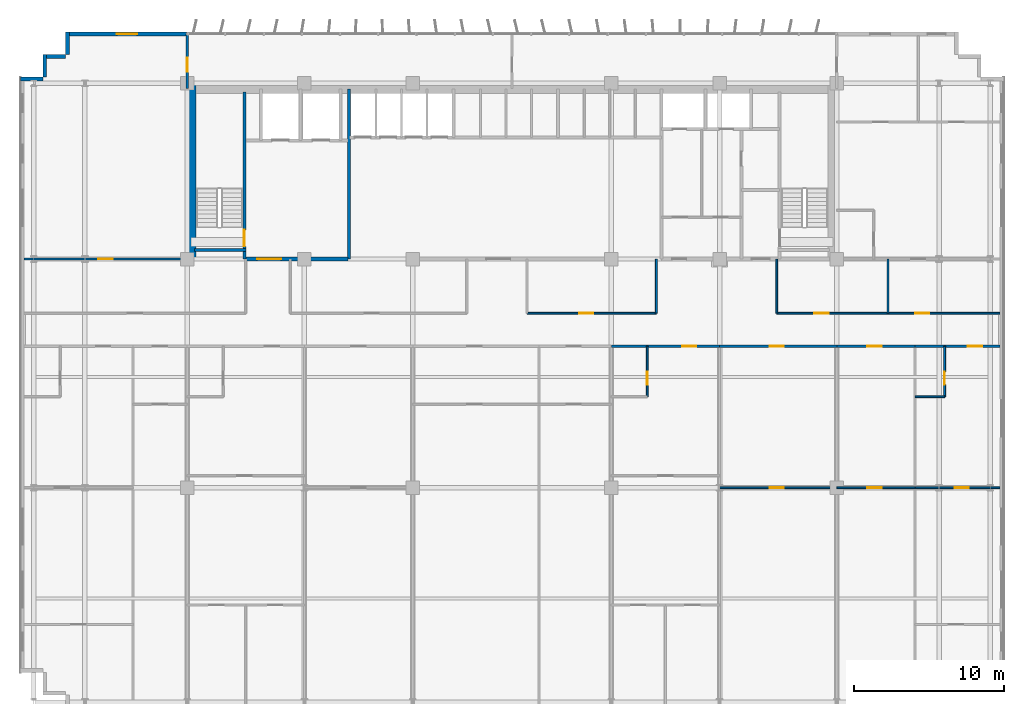
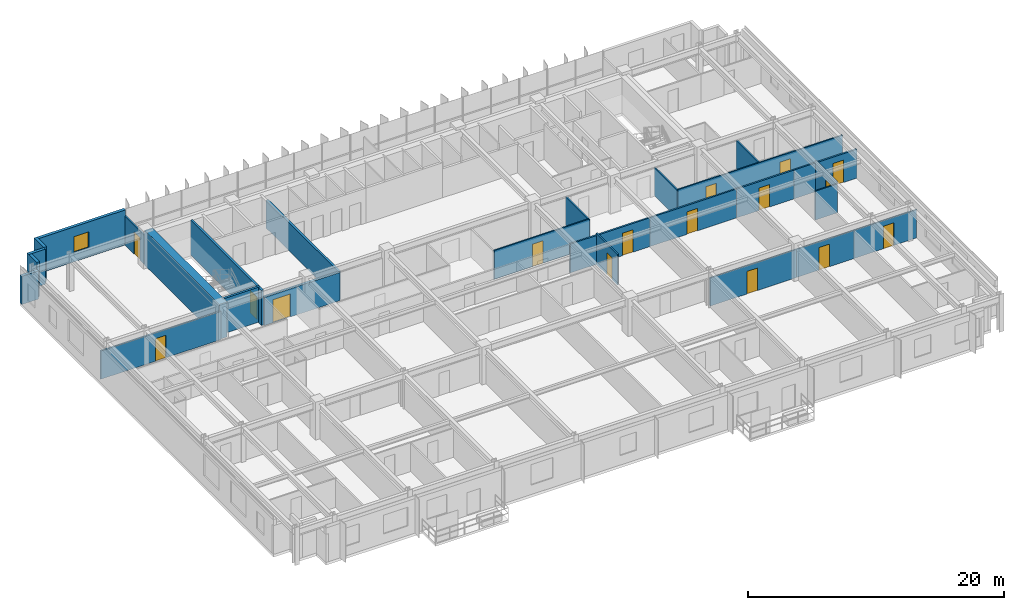
# One storey, part 17 of 22: 27 walls, 16 doors, 1 window, 17 openings.
"""IFC4 building model written with IfcOpenShell, lengths in metres."""

from ifc_helpers import new_model, si_unit, direction, frame, frame_2d, origin, place, context, subcontext, project, spatial, rectangle, extrude, source, transform, mapped, material, layer, layer_set, type_object, element, fill, save


model = new_model("IFC4")

# Units and contexts
model_context = context("Model", 3, precision=1e-05, world=origin(), true_north=direction((0.0, 1.0)))
body_context = subcontext(model_context, "Body", "Model", "MODEL_VIEW")
ifc_project = project(units=[si_unit("LENGTHUNIT", "METRE"), si_unit("AREAUNIT", "SQUARE_METRE"), si_unit("VOLUMEUNIT", "CUBIC_METRE"), si_unit("PLANEANGLEUNIT", "RADIAN"), si_unit("MASSUNIT", "GRAM", prefix="KILO")], contexts=[model_context])

# Site, building, storey
site_placement = place(None, origin())
site = spatial("IfcSite", under=ifc_project, at=site_placement, CompositionType="ELEMENT")
building_placement = place(site_placement, origin())
building = spatial("IfcBuilding", under=site, at=building_placement, Name="Trelvane Seafront Commons", CompositionType="ELEMENT")
storey_placement = place(building_placement, frame((0.0, 0.0, 45.10009765625)))
storey = spatial("IfcBuildingStorey", under=building, at=storey_placement, Name="L11", CompositionType="ELEMENT", Elevation=45.10009765625)

# Wall, opening, window
ifc_material_1 = material(Name="Precast concrete C40/50", Category="concrete")
ifc_layer_1 = layer(ifc_material_1, 0.260009765625, Name="ARCH-WALL-EXT260")
ifc_layer_set_1 = layer_set([ifc_layer_1], Name="Precast concrete C40/50")
wall_type_1 = type_object("IfcWallType", Name="ARCH-WALL-EXT260", PredefinedType="SOLIDWALL", material=ifc_layer_set_1)
wall_1_placement = place(storey_placement, frame((7.60009765625, 48.3701171875, 0.0), z_axis=(0.0, 0.0, 1.0), x_axis=(1.0, 0.0, 0.0)))
wall_1 = element("IfcWall", 1, at=wall_1_placement, inside=storey, type_object=wall_type_1, Name="EW-L11-NW-0171", PredefinedType="SOLIDWALL", context=body_context, shape_type="SweptSolid", body=[
    extrude(rectangle(XDim=8.0, YDim=0.260009765625, at=frame_2d((4.0, 0.0))), origin(), (0.0, 0.0, 1.0), 3.33984375),
])
opening_1_placement = place(wall_1_placement, frame((3.324951171875, 0.0, 0.89990234375)))
opening_1 = element("IfcOpeningElement", 2, at=opening_1_placement, cuts=wall_1, Name="Opening W09", PredefinedType="OPENING", context=body_context, shape_type="SweptSolid", body=[
    extrude(rectangle(XDim=1.35009765625, YDim=1.5, at=frame_2d((0.675048828125, 0.75))), frame((0.0, 0.139892578125, 0.0), z_axis=(0.0, -1.0, 0.0), x_axis=(1.0, 0.0, 0.0)), (0.0, 0.0, 1.0), 0.280029296875),
])
ifc_material_2 = material(Name="Low-E coastal double glazing", Category="glass")
window_type = type_object("IfcWindowType", Name="ARCH-WIN-W09", PartitioningType="SINGLE_PANEL", PredefinedType="WINDOW", material=ifc_material_2)
shared_shape_1 = source(origin(), body_context, "Body", "SweptSolid", [
    extrude(rectangle(XDim=1.35009765625, YDim=1.5, at=frame_2d((0.675048828125, 0.75))), frame((0.0, 0.030029296875, 0.0), z_axis=(0.0, -1.0, 0.0), x_axis=(1.0, 0.0, 0.0)), (0.0, 0.0, 1.0), 0.06005859375),
])
window_placement = place(opening_1_placement, origin())
window = element("IfcWindow", 3, at=window_placement, inside=storey, type_object=window_type, Name="WIN-L11-00210", OverallHeight=1.5, OverallWidth=1.35009765625, PartitioningType="SINGLE_PANEL", PredefinedType="WINDOW", context=body_context, shape_type="MappedRepresentation", body=[
    mapped(shared_shape_1, transform((0.0, 0.0, 0.0), x_axis=(1.0, 0.0, 0.0), y_axis=(0.0, 1.0, 0.0), z_axis=(0.0, 0.0, 1.0), scale=1.0)),
])
fill(opening_1, window)

# Walls
wall_2_placement = place(storey_placement, frame((4.5, 45.3701171875, 0.0), z_axis=(0.0, 0.0, 1.0), x_axis=(1.0, 0.0, 0.0)))
element("IfcWall", 4, at=wall_2_placement, inside=storey, type_object=wall_type_1, Name="EW-L11-00177", PredefinedType="SOLIDWALL", context=body_context, shape_type="SweptSolid", body=[
    extrude(rectangle(XDim=1.5, YDim=0.260009765625, at=frame_2d((0.75, 0.0))), origin(), (0.0, 0.0, 1.0), 2.68994140625),
])
for number, where, z_axis, x_axis, name in (
    (5, (6.1298828125, 45.5, 0.0), (0.0, 0.0, 1.0), (0.0, 1.0, 0.0), "EW-L11-00178"),
    (6, (6.0, 46.8701171875, 0.0), (0.0, 0.0, 1.0), (1.0, 0.0, 0.0), "EW-L11-00179"),
    (7, (7.6298828125, 47.0, 0.0), (0.0, 0.0, 1.0), (0.0, 1.0, 0.0), "EW-L11-00180"),
):
    element("IfcWall", number, at=place(storey_placement, frame(where, z_axis=z_axis, x_axis=x_axis)), inside=storey, type_object=wall_type_1, Name=name, PredefinedType="SOLIDWALL", context=body_context, shape_type="SweptSolid", body=[
        extrude(rectangle(XDim=1.5, YDim=0.260009765625, at=frame_2d((0.75, 0.0))), origin(), (0.0, 0.0, 1.0), 3.33984375),
    ])

# Wall, opening, door
ifc_material_3 = material(Name="Concrete C40/50", Category="concrete")
ifc_layer_2 = layer(ifc_material_3, 0.25, Name="ARCH-WALL-FIRE250")
ifc_layer_set_2 = layer_set([ifc_layer_2], Name="Concrete C40/50")
wall_type_2 = type_object("IfcWallType", Name="ARCH-WALL-FIRE250", PredefinedType="PARTITIONING", material=ifc_layer_set_2)
wall_3_placement = place(storey_placement, frame((19.5, 33.39990234375, 0.0), z_axis=(0.0, 0.0, 1.0), x_axis=(1.0, 0.0, 0.0)))
wall_3 = element("IfcWall", 8, at=wall_3_placement, inside=storey, type_object=wall_type_2, Name="W-L11-CS-FFL-013", PredefinedType="PARTITIONING", context=body_context, shape_type="SweptSolid", body=[
    extrude(rectangle(XDim=6.800048828125, YDim=0.25, at=frame_2d((3.39990234375, 0.0))), origin(), (0.0, 0.0, 1.0), 2.68994140625),
])
opening_2_placement = place(wall_3_placement, frame((0.75, 0.0, 0.0)))
opening_2 = element("IfcOpeningElement", 9, at=opening_2_placement, cuts=wall_3, Name="Opening FD-L11-05", PredefinedType="OPENING", context=body_context, shape_type="SweptSolid", body=[
    extrude(rectangle(XDim=1.60009765625, YDim=2.199951171875, at=frame_2d((0.800048828125, 1.10009765625))), frame((0.0, 0.135009765625, 0.0), z_axis=(0.0, -1.0, 0.0), x_axis=(1.0, 0.0, 0.0)), (0.0, 0.0, 1.0), 0.27001953125),
])
ifc_material_4 = material(Name="Powder-coated aluminium frame", Category="aluminium")
door_type_1 = type_object("IfcDoorType", Name="ARCH-DR-FD60-1600", OperationType="DOUBLE_DOOR_SINGLE_SWING", PredefinedType="DOOR", material=ifc_material_4)
shared_shape_2 = source(origin(), body_context, "Body", "SweptSolid", [
    extrude(rectangle(XDim=1.60009765625, YDim=2.199951171875, at=frame_2d((0.800048828125, 1.10009765625))), frame((0.0, 0.02490234375, 0.0), z_axis=(0.0, -1.0, 0.0), x_axis=(1.0, 0.0, 0.0)), (0.0, 0.0, 1.0), 0.050048828125),
])
door_1_placement = place(opening_2_placement, origin())
door_1 = element("IfcDoor", 10, at=door_1_placement, inside=storey, type_object=door_type_1, Name="L11 Firefighting Lift Lobby Double Fire Door", OperationType="DOUBLE_DOOR_SINGLE_SWING", OverallHeight=2.199951171875, OverallWidth=1.60009765625, PredefinedType="DOOR", context=body_context, shape_type="MappedRepresentation", body=[
    mapped(shared_shape_2, transform((0.0, 0.0, 0.0), x_axis=(1.0, 0.0, 0.0), y_axis=(0.0, 1.0, 0.0), z_axis=(0.0, 0.0, 1.0), scale=1.0)),
])
fill(opening_2, door_1)

ifc_material_5 = material(Name="Gypsum Drywall Acoustic Partition")
ifc_layer_3 = layer(ifc_material_5, 0.1201171875, Name="ARCH-WALL-PART120")
ifc_layer_set_3 = layer_set([ifc_layer_3], Name="Gypsum Drywall Acoustic Partition")
wall_type_3 = type_object("IfcWallType", Name="ARCH-WALL-PART120", PredefinedType="PARTITIONING", material=ifc_layer_set_3)
wall_4_placement = place(storey_placement, frame((38.199951171875, 29.800048828125, 0.0), z_axis=(0.0, 0.0, 1.0), x_axis=(1.0, 0.0, 0.0)))
wall_4 = element("IfcWall", 11, at=wall_4_placement, inside=storey, type_object=wall_type_3, Name="W-L11-CORR-N-M2-040", PredefinedType="PARTITIONING", context=body_context, shape_type="SweptSolid", body=[
    extrude(rectangle(XDim=8.60009765625, YDim=0.1201171875, at=frame_2d((4.300048828125, 0.0))), origin(), (0.0, 0.0, 1.0), 2.751953125),
])
opening_3_placement = place(wall_4_placement, frame((3.4619140625, 0.0, 0.0)))
opening_3 = element("IfcOpeningElement", 12, at=opening_3_placement, cuts=wall_4, Name="Opening D-L11-20", PredefinedType="OPENING", context=body_context, shape_type="SweptSolid", body=[
    extrude(rectangle(XDim=0.949951171875, YDim=2.14990234375, at=frame_2d((0.47509765625, 1.074951171875))), frame((0.0, 0.070068359375, 0.0), z_axis=(0.0, -1.0, 0.0), x_axis=(1.0, 0.0, 0.0)), (0.0, 0.0, 1.0), 0.14013671875),
])
ifc_material_6 = material(Name="Acoustic timber door leaf", Category="wood")
door_type_2 = type_object("IfcDoorType", Name="ARCH-DR-INT950", OperationType="NOTDEFINED", PredefinedType="DOOR", material=ifc_material_6)
shared_shape_3 = source(origin(), body_context, "Body", "SweptSolid", [
    extrude(rectangle(XDim=0.949951171875, YDim=2.14990234375, at=frame_2d((0.47509765625, 1.074951171875))), frame((0.0, 0.02490234375, 0.0), z_axis=(0.0, -1.0, 0.0), x_axis=(1.0, 0.0, 0.0)), (0.0, 0.0, 1.0), 0.050048828125),
])
door_2_placement = place(opening_3_placement, origin())
door_2 = element("IfcDoor", 13, at=door_2_placement, inside=storey, type_object=door_type_2, Name="L11 Door 20", OperationType="SINGLE_SWING_RIGHT", OverallHeight=2.14990234375, OverallWidth=0.949951171875, PredefinedType="DOOR", context=body_context, shape_type="MappedRepresentation", body=[
    mapped(shared_shape_3, transform((0.0, 0.0, 0.0), x_axis=(1.0, 0.0, 0.0), y_axis=(0.0, 1.0, 0.0), z_axis=(0.0, 0.0, 1.0), scale=1.0)),
])
fill(opening_3, door_2)

# Wall, openings, doors
wall_5_placement = place(storey_placement, frame((54.800048828125, 29.800048828125, 0.0), z_axis=(0.0, 0.0, 1.0), x_axis=(1.0, 0.0, 0.0)))
wall_5 = element("IfcWall", 14, at=wall_5_placement, inside=storey, type_object=wall_type_3, Name="W-L11-CORR-N-E-041", PredefinedType="PARTITIONING", context=body_context, shape_type="SweptSolid", body=[
    extrude(rectangle(XDim=14.849853515625, YDim=0.1201171875, at=frame_2d((7.4248046875, 0.0))), origin(), (0.0, 0.0, 1.0), 2.751953125),
])
opening_4_placement = place(wall_5_placement, frame((2.5, 0.0, 0.0)))
opening_4 = element("IfcOpeningElement", 15, at=opening_4_placement, cuts=wall_5, Name="Opening D-L11-21", PredefinedType="OPENING", context=body_context, shape_type="SweptSolid", body=[
    extrude(rectangle(XDim=0.949951171875, YDim=2.14990234375, at=frame_2d((0.47509765625, 1.074951171875))), frame((0.0, 0.070068359375, 0.0), z_axis=(0.0, -1.0, 0.0), x_axis=(1.0, 0.0, 0.0)), (0.0, 0.0, 1.0), 0.14013671875),
])
opening_5_placement = place(wall_5_placement, frame((9.199951171875, 0.0, 0.0)))
opening_5 = element("IfcOpeningElement", 16, at=opening_5_placement, cuts=wall_5, Name="Opening D-L11-22", PredefinedType="OPENING", context=body_context, shape_type="SweptSolid", body=[
    extrude(rectangle(XDim=0.949951171875, YDim=2.14990234375, at=frame_2d((0.47509765625, 1.074951171875))), frame((0.0, 0.070068359375, 0.0), z_axis=(0.0, -1.0, 0.0), x_axis=(1.0, 0.0, 0.0)), (0.0, 0.0, 1.0), 0.14013671875),
])
door_3_placement = place(opening_4_placement, origin())
door_3 = element("IfcDoor", 17, at=door_3_placement, inside=storey, type_object=door_type_2, Name="L11 Door 21", OperationType="SINGLE_SWING_LEFT", OverallHeight=2.14990234375, OverallWidth=0.949951171875, PredefinedType="DOOR", context=body_context, shape_type="MappedRepresentation", body=[
    mapped(shared_shape_3, transform((0.0, 0.0, 0.0), x_axis=(1.0, 0.0, 0.0), y_axis=(0.0, 1.0, 0.0), z_axis=(0.0, 0.0, 1.0), scale=1.0)),
])
fill(opening_4, door_3)
door_4_placement = place(opening_5_placement, origin())
door_4 = element("IfcDoor", 18, at=door_4_placement, inside=storey, type_object=door_type_2, Name="L11 Door 22", OperationType="SINGLE_SWING_RIGHT", OverallHeight=2.14990234375, OverallWidth=0.949951171875, PredefinedType="DOOR", context=body_context, shape_type="MappedRepresentation", body=[
    mapped(shared_shape_3, transform((0.0, 0.0, 0.0), x_axis=(1.0, 0.0, 0.0), y_axis=(0.0, 1.0, 0.0), z_axis=(0.0, 0.0, 1.0), scale=1.0)),
])
fill(opening_5, door_4)

# Walls
for number, where, z_axis, x_axis, name in (
    (19, (62.199951171875, 29.800048828125, 0.0), (0.0, 0.0, 1.0), (0.0, 1.0, 0.0), "W-L11-N-LAUN-DV-042"),
    (20, (46.800048828125, 29.800048828125, 0.0), (0.0, 0.0, 1.0), (0.0, 1.0, 0.0), "W-L11-N-SPUR-E1-047"),
    (21, (54.800048828125, 29.800048828125, 0.0), (0.0, 0.0, 1.0), (0.0, 1.0, 0.0), "W-L11-N-SPUR-E2-048"),
):
    element("IfcWall", number, at=place(storey_placement, frame(where, z_axis=z_axis, x_axis=x_axis)), inside=storey, type_object=wall_type_3, Name=name, PredefinedType="PARTITIONING", context=body_context, shape_type="SweptSolid", body=[
        extrude(rectangle(XDim=3.599853515625, YDim=0.1201171875, at=frame_2d((1.7998046875, 0.0))), origin(), (0.0, 0.0, 1.0), 2.68994140625),
    ])

# Wall, opening, door
wall_6_placement = place(storey_placement, frame((46.199951171875, 24.25, 0.0), z_axis=(0.0, 0.0, 1.0), x_axis=(0.0, 1.0, 0.0)))
wall_6 = element("IfcWall", 22, at=wall_6_placement, inside=storey, type_object=wall_type_3, Name="W-L11-U7-BE-089", PredefinedType="PARTITIONING", context=body_context, shape_type="SweptSolid", body=[
    extrude(rectangle(XDim=3.35009765625, YDim=0.1201171875, at=frame_2d((1.675048828125, 0.0))), origin(), (0.0, 0.0, 1.0), 2.93994140625),
])
opening_6_placement = place(wall_6_placement, frame((0.800048828125, 0.0, 0.0)))
opening_6 = element("IfcOpeningElement", 23, at=opening_6_placement, cuts=wall_6, Name="Opening D-L11-49", PredefinedType="OPENING", context=body_context, shape_type="SweptSolid", body=[
    extrude(rectangle(XDim=0.85009765625, YDim=2.10009765625, at=frame_2d((0.425048828125, 1.050048828125))), frame((0.0, 0.070068359375, 0.0), z_axis=(0.0, -1.0, 0.0), x_axis=(1.0, 0.0, 0.0)), (0.0, 0.0, 1.0), 0.14013671875),
])
door_type_3 = type_object("IfcDoorType", Name="ARCH-DR-INT850", OperationType="NOTDEFINED", PredefinedType="DOOR", material=ifc_material_6)
shared_shape_4 = source(origin(), body_context, "Body", "SweptSolid", [
    extrude(rectangle(XDim=0.85009765625, YDim=2.10009765625, at=frame_2d((0.425048828125, 1.050048828125))), frame((0.0, 0.02490234375, 0.0), z_axis=(0.0, -1.0, 0.0), x_axis=(1.0, 0.0, 0.0)), (0.0, 0.0, 1.0), 0.050048828125),
])
door_5_placement = place(opening_6_placement, origin())
door_5 = element("IfcDoor", 24, at=door_5_placement, inside=storey, type_object=door_type_3, Name="L11 Door 49", OperationType="SINGLE_SWING_LEFT", OverallHeight=2.10009765625, OverallWidth=0.85009765625, PredefinedType="DOOR", context=body_context, shape_type="MappedRepresentation", body=[
    mapped(shared_shape_4, transform((0.0, 0.0, 0.0), x_axis=(1.0, 0.0, 0.0), y_axis=(0.0, 1.0, 0.0), z_axis=(0.0, 0.0, 1.0), scale=1.0)),
])
fill(opening_6, door_5)

wall_7_placement = place(storey_placement, frame((51.0, 18.199951171875, 0.0), z_axis=(0.0, 0.0, 1.0), x_axis=(1.0, 0.0, 0.0)))
wall_7 = element("IfcWall", 25, at=wall_7_placement, inside=storey, type_object=wall_type_3, Name="W-L11-U8-DIV-096", PredefinedType="PARTITIONING", context=body_context, shape_type="SweptSolid", body=[
    extrude(rectangle(XDim=7.800048828125, YDim=0.1201171875, at=frame_2d((3.89990234375, 0.0))), origin(), (0.0, 0.0, 1.0), 2.68994140625),
])
opening_7_placement = place(wall_7_placement, frame((3.3330078125, 0.0, 0.0)))
opening_7 = element("IfcOpeningElement", 26, at=opening_7_placement, cuts=wall_7, Name="Opening D-L11-54", PredefinedType="OPENING", context=body_context, shape_type="SweptSolid", body=[
    extrude(rectangle(XDim=0.949951171875, YDim=2.14990234375, at=frame_2d((0.47509765625, 1.074951171875))), frame((0.0, 0.070068359375, 0.0), z_axis=(0.0, -1.0, 0.0), x_axis=(1.0, 0.0, 0.0)), (0.0, 0.0, 1.0), 0.14013671875),
])
door_6_placement = place(opening_7_placement, origin())
door_6 = element("IfcDoor", 27, at=door_6_placement, inside=storey, type_object=door_type_2, Name="L11 Door 54", OperationType="SINGLE_SWING_RIGHT", OverallHeight=2.14990234375, OverallWidth=0.949951171875, PredefinedType="DOOR", context=body_context, shape_type="MappedRepresentation", body=[
    mapped(shared_shape_3, transform((0.0, 0.0, 0.0), x_axis=(1.0, 0.0, 0.0), y_axis=(0.0, 1.0, 0.0), z_axis=(0.0, 0.0, 1.0), scale=1.0)),
])
fill(opening_7, door_6)

wall_8_placement = place(storey_placement, frame((58.800048828125, 18.199951171875, 0.0), z_axis=(0.0, 0.0, 1.0), x_axis=(1.0, 0.0, 0.0)))
wall_8 = element("IfcWall", 28, at=wall_8_placement, inside=storey, type_object=wall_type_3, Name="W-L11-U9-DIV-098", PredefinedType="PARTITIONING", context=body_context, shape_type="SweptSolid", body=[
    extrude(rectangle(XDim=5.199951171875, YDim=0.1201171875, at=frame_2d((2.60009765625, 0.0))), origin(), (0.0, 0.0, 1.0), 2.68994140625),
])
opening_8_placement = place(wall_8_placement, frame((2.032958984375, 0.0, 0.0)))
opening_8 = element("IfcOpeningElement", 29, at=opening_8_placement, cuts=wall_8, Name="Opening D-L11-56", PredefinedType="OPENING", context=body_context, shape_type="SweptSolid", body=[
    extrude(rectangle(XDim=0.949951171875, YDim=2.14990234375, at=frame_2d((0.47509765625, 1.074951171875))), frame((0.0, 0.070068359375, 0.0), z_axis=(0.0, -1.0, 0.0), x_axis=(1.0, 0.0, 0.0)), (0.0, 0.0, 1.0), 0.14013671875),
])
door_7_placement = place(opening_8_placement, origin())
door_7 = element("IfcDoor", 30, at=door_7_placement, inside=storey, type_object=door_type_2, Name="L11 Door 56", OperationType="SINGLE_SWING_RIGHT", OverallHeight=2.14990234375, OverallWidth=0.949951171875, PredefinedType="DOOR", context=body_context, shape_type="MappedRepresentation", body=[
    mapped(shared_shape_3, transform((0.0, 0.0, 0.0), x_axis=(1.0, 0.0, 0.0), y_axis=(0.0, 1.0, 0.0), z_axis=(0.0, 0.0, 1.0), scale=1.0)),
])
fill(opening_8, door_7)

wall_9_placement = place(storey_placement, frame((64.0, 18.199951171875, 0.0), z_axis=(0.0, 0.0, 1.0), x_axis=(1.0, 0.0, 0.0)))
wall_9 = element("IfcWall", 31, at=wall_9_placement, inside=storey, type_object=wall_type_3, Name="W-L11-U10-KL-099", PredefinedType="PARTITIONING", context=body_context, shape_type="SweptSolid", body=[
    extrude(rectangle(XDim=5.639892578125, YDim=0.1201171875, at=frame_2d((2.81982421875, 0.0))), origin(), (0.0, 0.0, 1.0), 2.68994140625),
])
opening_9_placement = place(wall_9_placement, frame((2.6259765625, 0.0, 0.0)))
opening_9 = element("IfcOpeningElement", 32, at=opening_9_placement, cuts=wall_9, Name="Opening D-L11-57", PredefinedType="OPENING", context=body_context, shape_type="SweptSolid", body=[
    extrude(rectangle(XDim=0.949951171875, YDim=2.14990234375, at=frame_2d((0.47509765625, 1.074951171875))), frame((0.0, 0.070068359375, 0.0), z_axis=(0.0, -1.0, 0.0), x_axis=(1.0, 0.0, 0.0)), (0.0, 0.0, 1.0), 0.14013671875),
])
door_8_placement = place(opening_9_placement, origin())
door_8 = element("IfcDoor", 33, at=door_8_placement, inside=storey, type_object=door_type_2, Name="L11 Door 57", OperationType="SINGLE_SWING_LEFT", OverallHeight=2.14990234375, OverallWidth=0.949951171875, PredefinedType="DOOR", context=body_context, shape_type="MappedRepresentation", body=[
    mapped(shared_shape_3, transform((0.0, 0.0, 0.0), x_axis=(1.0, 0.0, 0.0), y_axis=(0.0, 1.0, 0.0), z_axis=(0.0, 0.0, 1.0), scale=1.0)),
])
fill(opening_9, door_8)

wall_10_placement = place(storey_placement, frame((65.967529296875, 24.25, 0.0), z_axis=(0.0, 0.0, 1.0), x_axis=(0.0, 1.0, 0.0)))
wall_10 = element("IfcWall", 34, at=wall_10_placement, inside=storey, type_object=wall_type_3, Name="W-L11-U10-BE-100", PredefinedType="PARTITIONING", context=body_context, shape_type="SweptSolid", body=[
    extrude(rectangle(XDim=3.35009765625, YDim=0.1201171875, at=frame_2d((1.675048828125, 0.0))), origin(), (0.0, 0.0, 1.0), 2.93994140625),
])
opening_10_placement = place(wall_10_placement, frame((0.800048828125, 0.0, 0.0)))
opening_10 = element("IfcOpeningElement", 35, at=opening_10_placement, cuts=wall_10, Name="Opening D-L11-58", PredefinedType="OPENING", context=body_context, shape_type="SweptSolid", body=[
    extrude(rectangle(XDim=0.85009765625, YDim=2.10009765625, at=frame_2d((0.425048828125, 1.050048828125))), frame((0.0, 0.070068359375, 0.0), z_axis=(0.0, -1.0, 0.0), x_axis=(1.0, 0.0, 0.0)), (0.0, 0.0, 1.0), 0.14013671875),
])
door_9_placement = place(opening_10_placement, origin())
door_9 = element("IfcDoor", 36, at=door_9_placement, inside=storey, type_object=door_type_3, Name="L11 Door 58", OperationType="SINGLE_SWING_RIGHT", OverallHeight=2.10009765625, OverallWidth=0.85009765625, PredefinedType="DOOR", context=body_context, shape_type="MappedRepresentation", body=[
    mapped(shared_shape_4, transform((0.0, 0.0, 0.0), x_axis=(1.0, 0.0, 0.0), y_axis=(0.0, 1.0, 0.0), z_axis=(0.0, 0.0, 1.0), scale=1.0)),
])
fill(opening_10, door_9)

# Wall
wall_11_placement = place(storey_placement, frame((64.0, 24.25, 0.0), z_axis=(0.0, 0.0, 1.0), x_axis=(1.0, 0.0, 0.0)))
element("IfcWall", 37, at=wall_11_placement, inside=storey, type_object=wall_type_3, Name="W-L11-U10-BS-101", PredefinedType="PARTITIONING", context=body_context, shape_type="SweptSolid", body=[
    extrude(rectangle(XDim=1.967529296875, YDim=0.1201171875, at=frame_2d((0.98388671875, 0.0))), origin(), (0.0, 0.0, 1.0), 2.751953125),
])

# Wall, opening, door
ifc_layer_4 = layer(ifc_material_5, 0.14990234375, Name="ARCH-WALL-PART150")
ifc_layer_set_4 = layer_set([ifc_layer_4], Name="Gypsum Drywall Acoustic Partition")
wall_type_4 = type_object("IfcWallType", Name="ARCH-WALL-PART150", PredefinedType="PARTITIONING", material=ifc_layer_set_4)
wall_12_placement = place(storey_placement, frame((4.75, 33.39990234375, 0.0), z_axis=(0.0, 0.0, 1.0), x_axis=(1.0, 0.0, 0.0)))
wall_12 = element("IfcWall", 38, at=wall_12_placement, inside=storey, type_object=wall_type_4, Name="W-L11-NW-ENT-049", PredefinedType="PARTITIONING", context=body_context, shape_type="SweptSolid", body=[
    extrude(rectangle(XDim=10.85009765625, YDim=0.14990234375, at=frame_2d((5.425048828125, 0.0))), origin(), (0.0, 0.0, 1.0), 2.68994140625),
])
opening_11_placement = place(wall_12_placement, frame((4.93994140625, 0.0, 0.0)))
opening_11 = element("IfcOpeningElement", 39, at=opening_11_placement, cuts=wall_12, Name="Opening FD-L11-23", PredefinedType="OPENING", context=body_context, shape_type="SweptSolid", body=[
    extrude(rectangle(XDim=0.949951171875, YDim=2.14990234375, at=frame_2d((0.47509765625, 1.074951171875))), frame((0.0, 0.0849609375, 0.0), z_axis=(0.0, -1.0, 0.0), x_axis=(1.0, 0.0, 0.0)), (0.0, 0.0, 1.0), 0.169921875),
])
door_type_4 = type_object("IfcDoorType", Name="ARCH-DR-FD60-950", OperationType="NOTDEFINED", PredefinedType="DOOR", material=ifc_material_4)
door_10_placement = place(opening_11_placement, origin())
door_10 = element("IfcDoor", 40, at=door_10_placement, inside=storey, type_object=door_type_4, Name="L11 NW Suite Entrance Door", OperationType="SINGLE_SWING_LEFT", OverallHeight=2.14990234375, OverallWidth=0.949951171875, PredefinedType="DOOR", context=body_context, shape_type="MappedRepresentation", body=[
    mapped(shared_shape_3, transform((0.0, 0.0, 0.0), x_axis=(1.0, 0.0, 0.0), y_axis=(0.0, 1.0, 0.0), z_axis=(0.0, 0.0, 1.0), scale=1.0)),
])
fill(opening_11, door_10)

wall_13_placement = place(storey_placement, frame((15.60009765625, 44.75, 0.0), z_axis=(0.0, 0.0, 1.0), x_axis=(0.0, 1.0, 0.0)))
wall_13 = element("IfcWall", 41, at=wall_13_placement, inside=storey, type_object=wall_type_4, Name="W-L11-N-LINK-W-057", PredefinedType="PARTITIONING", context=body_context, shape_type="SweptSolid", body=[
    extrude(rectangle(XDim=3.610107421875, YDim=0.14990234375, at=frame_2d((1.80517578125, 0.0))), origin(), (0.0, 0.0, 1.0), 2.751953125),
])
opening_12_placement = place(wall_13_placement, frame((1.10009765625, 0.0, 0.0)))
opening_12 = element("IfcOpeningElement", 42, at=opening_12_placement, cuts=wall_13, Name="Opening FD-L11-29", PredefinedType="OPENING", context=body_context, shape_type="SweptSolid", body=[
    extrude(rectangle(XDim=0.949951171875, YDim=2.14990234375, at=frame_2d((0.47509765625, 1.074951171875))), frame((0.0, 0.0849609375, 0.0), z_axis=(0.0, -1.0, 0.0), x_axis=(1.0, 0.0, 0.0)), (0.0, 0.0, 1.0), 0.169921875),
])
door_11_placement = place(opening_12_placement, origin())
door_11 = element("IfcDoor", 43, at=door_11_placement, inside=storey, type_object=door_type_4, Name="L11 Door 29", OperationType="SINGLE_SWING_LEFT", OverallHeight=2.14990234375, OverallWidth=0.949951171875, PredefinedType="DOOR", context=body_context, shape_type="MappedRepresentation", body=[
    mapped(shared_shape_3, transform((0.0, 0.0, 0.0), x_axis=(1.0, 0.0, 0.0), y_axis=(0.0, 1.0, 0.0), z_axis=(0.0, 0.0, 1.0), scale=1.0)),
])
fill(opening_12, door_11)

wall_14_placement = place(storey_placement, frame((43.800048828125, 27.60009765625, 0.0), z_axis=(0.0, 0.0, 1.0), x_axis=(1.0, 0.0, 0.0)))
wall_14 = element("IfcWall", 44, at=wall_14_placement, inside=storey, type_object=wall_type_4, Name="W-L11-CS-BAY-7-091", PredefinedType="PARTITIONING", context=body_context, shape_type="SweptSolid", body=[
    extrude(rectangle(XDim=7.199951171875, YDim=0.14990234375, at=frame_2d((3.60009765625, 0.0))), origin(), (0.0, 0.0, 1.0), 2.751953125),
])
opening_13_placement = place(wall_14_placement, frame((4.7060546875, 0.0, 0.0)))
opening_13 = element("IfcOpeningElement", 45, at=opening_13_placement, cuts=wall_14, Name="Opening FD-L11-50", PredefinedType="OPENING", context=body_context, shape_type="SweptSolid", body=[
    extrude(rectangle(XDim=0.949951171875, YDim=2.14990234375, at=frame_2d((0.47509765625, 1.074951171875))), frame((0.0, 0.0849609375, 0.0), z_axis=(0.0, -1.0, 0.0), x_axis=(1.0, 0.0, 0.0)), (0.0, 0.0, 1.0), 0.169921875),
])
door_12_placement = place(opening_13_placement, origin())
door_12 = element("IfcDoor", 46, at=door_12_placement, inside=storey, type_object=door_type_4, Name="L11 Unit 07 Entrance Door", OperationType="SINGLE_SWING_RIGHT", OverallHeight=2.14990234375, OverallWidth=0.949951171875, PredefinedType="DOOR", context=body_context, shape_type="MappedRepresentation", body=[
    mapped(shared_shape_3, transform((0.0, 0.0, 0.0), x_axis=(1.0, 0.0, 0.0), y_axis=(0.0, 1.0, 0.0), z_axis=(0.0, 0.0, 1.0), scale=1.0)),
])
fill(opening_13, door_12)

wall_15_placement = place(storey_placement, frame((51.0, 27.60009765625, 0.0), z_axis=(0.0, 0.0, 1.0), x_axis=(1.0, 0.0, 0.0)))
wall_15 = element("IfcWall", 47, at=wall_15_placement, inside=storey, type_object=wall_type_4, Name="W-L11-CS-BAY-8-095", PredefinedType="PARTITIONING", context=body_context, shape_type="SweptSolid", body=[
    extrude(rectangle(XDim=7.800048828125, YDim=0.14990234375, at=frame_2d((3.89990234375, 0.0))), origin(), (0.0, 0.0, 1.0), 2.751953125),
])
opening_14_placement = place(wall_15_placement, frame((3.3330078125, 0.0, 0.0)))
opening_14 = element("IfcOpeningElement", 48, at=opening_14_placement, cuts=wall_15, Name="Opening FD-L11-53", PredefinedType="OPENING", context=body_context, shape_type="SweptSolid", body=[
    extrude(rectangle(XDim=0.949951171875, YDim=2.14990234375, at=frame_2d((0.47509765625, 1.074951171875))), frame((0.0, 0.0849609375, 0.0), z_axis=(0.0, -1.0, 0.0), x_axis=(1.0, 0.0, 0.0)), (0.0, 0.0, 1.0), 0.169921875),
])
door_13_placement = place(opening_14_placement, origin())
door_13 = element("IfcDoor", 49, at=door_13_placement, inside=storey, type_object=door_type_4, Name="L11 Bay 08 Entrance Door", OperationType="SINGLE_SWING_LEFT", OverallHeight=2.14990234375, OverallWidth=0.949951171875, PredefinedType="DOOR", context=body_context, shape_type="MappedRepresentation", body=[
    mapped(shared_shape_3, transform((0.0, 0.0, 0.0), x_axis=(1.0, 0.0, 0.0), y_axis=(0.0, 1.0, 0.0), z_axis=(0.0, 0.0, 1.0), scale=1.0)),
])
fill(opening_14, door_13)

wall_16_placement = place(storey_placement, frame((58.800048828125, 27.60009765625, 0.0), z_axis=(0.0, 0.0, 1.0), x_axis=(1.0, 0.0, 0.0)))
wall_16 = element("IfcWall", 50, at=wall_16_placement, inside=storey, type_object=wall_type_4, Name="W-L11-CS-BAY-9-097", PredefinedType="PARTITIONING", context=body_context, shape_type="SweptSolid", body=[
    extrude(rectangle(XDim=5.199951171875, YDim=0.14990234375, at=frame_2d((2.60009765625, 0.0))), origin(), (0.0, 0.0, 1.0), 2.751953125),
])
opening_15_placement = place(wall_16_placement, frame((2.032958984375, 0.0, 0.0)))
opening_15 = element("IfcOpeningElement", 51, at=opening_15_placement, cuts=wall_16, Name="Opening FD-L11-55", PredefinedType="OPENING", context=body_context, shape_type="SweptSolid", body=[
    extrude(rectangle(XDim=0.949951171875, YDim=2.14990234375, at=frame_2d((0.47509765625, 1.074951171875))), frame((0.0, 0.0849609375, 0.0), z_axis=(0.0, -1.0, 0.0), x_axis=(1.0, 0.0, 0.0)), (0.0, 0.0, 1.0), 0.169921875),
])
door_14_placement = place(opening_15_placement, origin())
door_14 = element("IfcDoor", 52, at=door_14_placement, inside=storey, type_object=door_type_4, Name="L11 Bay 09 Entrance Door", OperationType="SINGLE_SWING_LEFT", OverallHeight=2.14990234375, OverallWidth=0.949951171875, PredefinedType="DOOR", context=body_context, shape_type="MappedRepresentation", body=[
    mapped(shared_shape_3, transform((0.0, 0.0, 0.0), x_axis=(1.0, 0.0, 0.0), y_axis=(0.0, 1.0, 0.0), z_axis=(0.0, 0.0, 1.0), scale=1.0)),
])
fill(opening_15, door_14)

wall_17_placement = place(storey_placement, frame((64.0, 27.60009765625, 0.0), z_axis=(0.0, 0.0, 1.0), x_axis=(1.0, 0.0, 0.0)))
wall_17 = element("IfcWall", 53, at=wall_17_placement, inside=storey, type_object=wall_type_4, Name="W-L11-CS-BAY-10-102", PredefinedType="PARTITIONING", context=body_context, shape_type="SweptSolid", body=[
    extrude(rectangle(XDim=5.655029296875, YDim=0.14990234375, at=frame_2d((2.82763671875, 0.0))), origin(), (0.0, 0.0, 1.0), 2.751953125),
])
opening_16_placement = place(wall_17_placement, frame((3.52099609375, 0.0, 0.0)))
opening_16 = element("IfcOpeningElement", 54, at=opening_16_placement, cuts=wall_17, Name="Opening FD-L11-59", PredefinedType="OPENING", context=body_context, shape_type="SweptSolid", body=[
    extrude(rectangle(XDim=0.949951171875, YDim=2.14990234375, at=frame_2d((0.47509765625, 1.074951171875))), frame((0.0, 0.0849609375, 0.0), z_axis=(0.0, -1.0, 0.0), x_axis=(1.0, 0.0, 0.0)), (0.0, 0.0, 1.0), 0.169921875),
])
door_15_placement = place(opening_16_placement, origin())
door_15 = element("IfcDoor", 55, at=door_15_placement, inside=storey, type_object=door_type_4, Name="L11 Unit 10 Entrance Door", OperationType="SINGLE_SWING_LEFT", OverallHeight=2.14990234375, OverallWidth=0.949951171875, PredefinedType="DOOR", context=body_context, shape_type="MappedRepresentation", body=[
    mapped(shared_shape_3, transform((0.0, 0.0, 0.0), x_axis=(1.0, 0.0, 0.0), y_axis=(0.0, 1.0, 0.0), z_axis=(0.0, 0.0, 1.0), scale=1.0)),
])
fill(opening_16, door_15)

# Walls
ifc_layer_5 = layer(ifc_material_3, 0.199951171875, Name="ARCH-WALL-SHAFT200")
ifc_layer_set_5 = layer_set([ifc_layer_5], Name="Concrete C40/50")
wall_type_5 = type_object("IfcWallType", Name="ARCH-WALL-SHAFT200", PredefinedType="SOLIDWALL", material=ifc_layer_set_5)
wall_18_placement = place(storey_placement, frame((26.35009765625, 33.39990234375, 0.0), z_axis=(0.0, 0.0, 1.0), x_axis=(0.0, 1.0, 0.0)))
element("IfcWall", 56, at=wall_18_placement, inside=storey, type_object=wall_type_5, Name="W-L11-FFL-EAST-012", PredefinedType="SOLIDWALL", context=body_context, shape_type="SweptSolid", body=[
    extrude(rectangle(XDim=11.300048828125, YDim=0.199951171875, at=frame_2d((5.64990234375, 0.0))), origin(), (0.0, 0.0, 1.0), 2.68994140625),
])
ifc_material_7 = material(Name="Concrete C60/75", Category="concrete")
ifc_layer_6 = layer(ifc_material_7, 0.699951171875, Name="STR-WALL-CORE700")
ifc_layer_set_6 = layer_set([ifc_layer_6], Name="Concrete C60/75")
wall_type_6 = type_object("IfcWallType", Name="STR-WALL-CORE700", PredefinedType="SHEAR", material=ifc_layer_set_6)
wall_19_placement = place(storey_placement, frame((15.85009765625, 33.39990234375, 0.0), z_axis=(0.0, 0.0, 1.0), x_axis=(0.0, 1.0, 0.0)))
element("IfcWall", 57, at=wall_19_placement, inside=storey, type_object=wall_type_6, Name="W-L11-CW-END-002", PredefinedType="SHEAR", context=body_context, shape_type="SweptSolid", body=[
    extrude(rectangle(XDim=11.7001953125, YDim=0.699951171875, at=frame_2d((5.85009765625, 0.0))), origin(), (0.0, 0.0, 1.0), 3.33984375),
])
ifc_material_8 = material(Name="Concrete C50/60", Category="concrete")
ifc_layer_7 = layer(ifc_material_8, 0.199951171875, Name="STR-WALL-STAIR200")
ifc_layer_set_7 = layer_set([ifc_layer_7], Name="Concrete C50/60")
wall_type_7 = type_object("IfcWallType", Name="STR-WALL-STAIR200", PredefinedType="SHEAR", material=ifc_layer_set_7)
wall_20_placement = place(storey_placement, frame((16.10009765625, 34.0, 0.0), z_axis=(0.0, 0.0, 1.0), x_axis=(1.0, 0.0, 0.0)))
element("IfcWall", 58, at=wall_20_placement, inside=storey, type_object=wall_type_7, Name="W-L11-ST1-S-004", PredefinedType="SHEAR", context=body_context, shape_type="SweptSolid", body=[
    extrude(rectangle(XDim=3.39990234375, YDim=0.199951171875, at=frame_2d((1.699951171875, 0.0))), origin(), (0.0, 0.0, 1.0), 3.33984375),
])

# Wall, opening, door
wall_21_placement = place(storey_placement, frame((19.39990234375, 33.39990234375, 0.0), z_axis=(0.0, 0.0, 1.0), x_axis=(0.0, 1.0, 0.0)))
wall_21 = element("IfcWall", 59, at=wall_21_placement, inside=storey, type_object=wall_type_7, Name="W-L11-ST1-E-005", PredefinedType="SHEAR", context=body_context, shape_type="SweptSolid", body=[
    extrude(rectangle(XDim=11.10009765625, YDim=0.199951171875, at=frame_2d((5.550048828125, 0.0))), origin(), (0.0, 0.0, 1.0), 3.33984375),
])
opening_17_placement = place(wall_21_placement, frame((0.85009765625, 0.0, 0.0)))
opening_17 = element("IfcOpeningElement", 60, at=opening_17_placement, cuts=wall_21, Name="Opening ST-D1-L11", PredefinedType="OPENING", context=body_context, shape_type="SweptSolid", body=[
    extrude(rectangle(XDim=1.10009765625, YDim=2.14990234375, at=frame_2d((0.550048828125, 1.074951171875))), frame((0.0, 0.10986328125, 0.0), z_axis=(0.0, -1.0, 0.0), x_axis=(1.0, 0.0, 0.0)), (0.0, 0.0, 1.0), 0.219970703125),
])
door_type_5 = type_object("IfcDoorType", Name="ARCH-DR-FD90-1100", OperationType="NOTDEFINED", PredefinedType="DOOR", material=ifc_material_4)
shared_shape_5 = source(origin(), body_context, "Body", "SweptSolid", [
    extrude(rectangle(XDim=1.10009765625, YDim=2.14990234375, at=frame_2d((0.550048828125, 1.074951171875))), frame((0.0, 0.02490234375, 0.0), z_axis=(0.0, -1.0, 0.0), x_axis=(1.0, 0.0, 0.0)), (0.0, 0.0, 1.0), 0.050048828125),
])
door_16_placement = place(opening_17_placement, origin())
door_16 = element("IfcDoor", 61, at=door_16_placement, inside=storey, type_object=door_type_5, Name="L11 Stair ST-1 Lobby Fire Door", OperationType="SINGLE_SWING_LEFT", OverallHeight=2.14990234375, OverallWidth=1.10009765625, PredefinedType="DOOR", context=body_context, shape_type="MappedRepresentation", body=[
    mapped(shared_shape_5, transform((0.0, 0.0, 0.0), x_axis=(1.0, 0.0, 0.0), y_axis=(0.0, 1.0, 0.0), z_axis=(0.0, 0.0, 1.0), scale=1.0)),
])
fill(opening_17, door_16)

save(model, "model.ifc")
